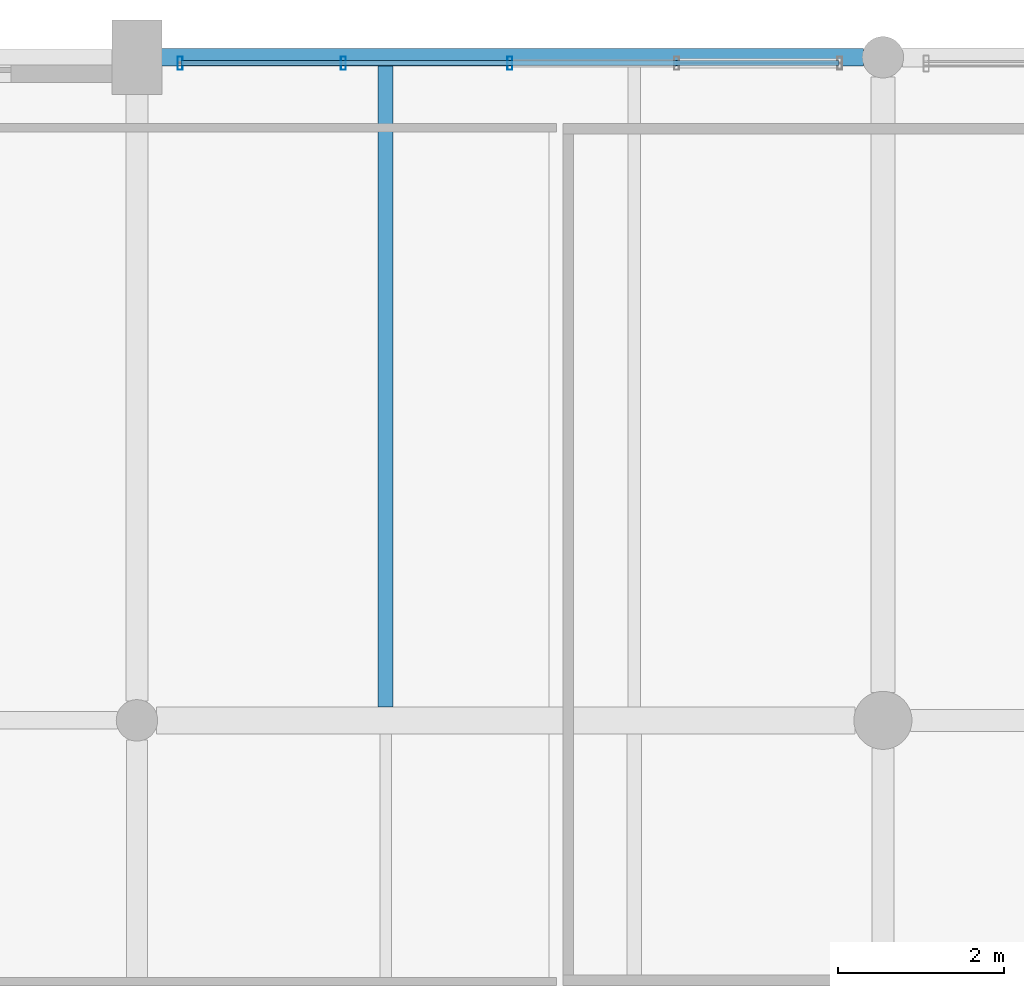
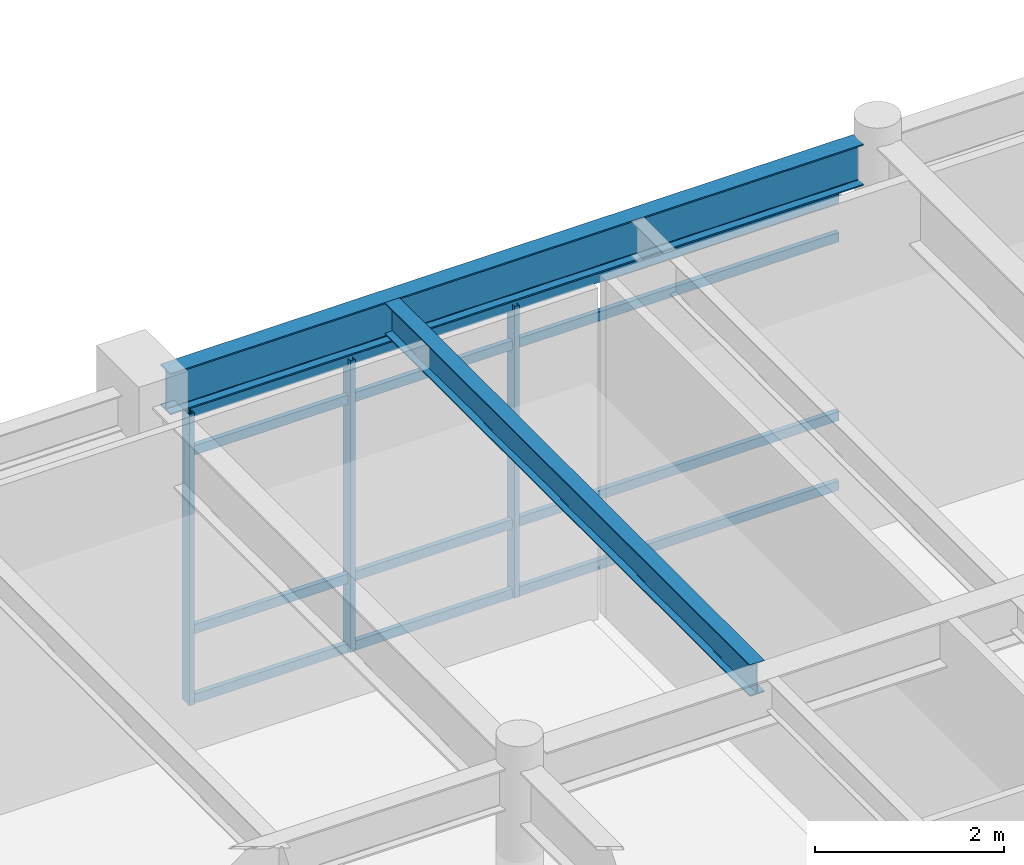
# One storey, part 89 of 168: 7 members, 2 beams, 1 element without a shape of its own.
"""IFC4 building model written with IfcOpenShell, lengths in metres."""

from ifc_helpers import new_model, si_unit, direction, frame, origin, origin_2d, place, context, subcontext, project, spatial, hollow_rectangle, i_section, extrude, material, material_profile, profile_set, type_object, element, aggregate, save


model = new_model("IFC4")

# Units and contexts
model_context = context("Model", 3, precision=1e-05, world=origin(), true_north=direction((0.0, 1.0)))
body_context = subcontext(model_context, "Body", "Model", "MODEL_VIEW")
ifc_project = project(units=[si_unit("LENGTHUNIT", "METRE"), si_unit("AREAUNIT", "SQUARE_METRE"), si_unit("VOLUMEUNIT", "CUBIC_METRE"), si_unit("PLANEANGLEUNIT", "RADIAN"), si_unit("MASSUNIT", "GRAM", prefix="KILO"), si_unit("THERMODYNAMICTEMPERATUREUNIT", "KELVIN"), si_unit("POWERUNIT", "WATT")], contexts=[model_context])

# Site, building, storey
site_placement = place(None, origin())
site = spatial("IfcSite", under=ifc_project, at=site_placement, CompositionType="ELEMENT")
building_placement = place(site_placement, origin())
building = spatial("IfcBuilding", under=site, at=building_placement, Name="Tepalcoro Natatorium and Aquatics Centre", CompositionType="ELEMENT")
storey_placement = place(building_placement, frame((0.0, 0.0, 10.199951171875)))
storey = spatial("IfcBuildingStorey", under=building, at=storey_placement, Name="L02", CompositionType="ELEMENT", Elevation=10.199951171875)

# Curtain wall, members
ifc_material_1 = material(Name="Bronze-Anodised Extruded Aluminium Alloy EN AW-6063 T6", Category="aluminium")
curtain_wall_type = type_object("IfcCurtainWallType", Name="CW_LEAN_T1_EW", PredefinedType="USERDEFINED", material=ifc_material_1)
curtain_wall_placement = place(storey_placement, origin())
curtain_wall = element("IfcCurtainWall", 1, at=curtain_wall_placement, inside=storey, type_object=curtain_wall_type, Name="V5 L02 N Unitised Curtain Wall Bay 2", ObjectType="FACETED SOLAR GLAZING", PredefinedType="USERDEFINED")
ifc_material_profile_1 = material_profile(ifc_material_1, hollow_rectangle(XDim=0.06005859375, YDim=0.159912109375, WallThickness=0.00390625, at=origin_2d()), Name="AL60X160X4")
ifc_profile_set_1 = profile_set([ifc_material_profile_1], Name="Bronze-Anodised Extruded Aluminium Alloy EN AW-6063 T6")
member_type_1 = type_object("IfcMemberType", Name="CW_MUL_60x160", PredefinedType="MULLION", material=ifc_profile_set_1)
member_1_placement = place(storey_placement, frame((107.52001953125, 117.9287109375, 0.02001953125), z_axis=(0.0, 0.0, 1.0), x_axis=(1.0, 0.0, 0.0)))
member_1 = element("IfcMember", 2, at=member_1_placement, type_object=member_type_1, Name="CW_LEAN_T1_EW Curtain Wall Mullion", PredefinedType="MULLION", context=body_context, shape_type="SweptSolid", body=[
    extrude(hollow_rectangle(XDim=0.06005859375, YDim=0.159912109375, WallThickness=0.00390625, at=origin_2d()), origin(), (0.0, 0.0, 1.0), 3.77392578125),
])
member_2_placement = place(storey_placement, frame((109.489990234375, 117.9287109375, 0.02001953125), z_axis=(0.0, 0.0, 1.0), x_axis=(1.0, 0.0, 0.0)))
member_2 = element("IfcMember", 3, at=member_2_placement, type_object=member_type_1, Name="CW_LEAN_T1_EW Curtain Wall Mullion", PredefinedType="MULLION", context=body_context, shape_type="SweptSolid", body=[
    extrude(hollow_rectangle(XDim=0.06005859375, YDim=0.159912109375, WallThickness=0.00390625, at=origin_2d()), origin(), (0.0, 0.0, 1.0), 3.77392578125),
])
member_3_placement = place(storey_placement, frame((111.5, 117.9287109375, 0.02001953125), z_axis=(0.0, 0.0, 1.0), x_axis=(1.0, 0.0, 0.0)))
member_3 = element("IfcMember", 4, at=member_3_placement, type_object=member_type_1, Name="CW_LEAN_T1_EW Curtain Wall Mullion", PredefinedType="MULLION", context=body_context, shape_type="SweptSolid", body=[
    extrude(hollow_rectangle(XDim=0.06005859375, YDim=0.159912109375, WallThickness=0.00390625, at=origin_2d()), origin(), (0.0, 0.0, 1.0), 3.77392578125),
])
ifc_material_profile_2 = material_profile(ifc_material_1, hollow_rectangle(XDim=0.06005859375, YDim=0.1201171875, WallThickness=0.00390625, at=origin_2d()), Name="AL60X120X4")
ifc_profile_set_2 = profile_set([ifc_material_profile_2], Name="Bronze-Anodised Extruded Aluminium Alloy EN AW-6063 T6")
member_type_2 = type_object("IfcMemberType", Name="CW_TRN_60x120", PredefinedType="USERDEFINED", material=ifc_profile_set_2)
member_4_placement = place(storey_placement, frame((107.530029296875, 117.9287109375, 0.050048828125), z_axis=(1.0, 0.0, 0.0), x_axis=(0.0, 1.0, 0.0)))
member_4 = element("IfcMember", 5, at=member_4_placement, type_object=member_type_2, Name="CW_LEAN_T1_EW Curtain Wall Transom", ObjectType="TRANSOM", PredefinedType="USERDEFINED", context=body_context, shape_type="SweptSolid", body=[
    extrude(hollow_rectangle(XDim=0.06005859375, YDim=0.1201171875, WallThickness=0.00390625, at=origin_2d()), origin(), (0.0, 0.0, 1.0), 7.93994140625),
])
member_5_placement = place(storey_placement, frame((107.530029296875, 117.9287109375, 0.949951171875), z_axis=(1.0, 0.0, 0.0), x_axis=(0.0, 1.0, 0.0)))
member_5 = element("IfcMember", 6, at=member_5_placement, type_object=member_type_2, Name="CW_LEAN_T1_EW Curtain Wall Transom", ObjectType="TRANSOM", PredefinedType="USERDEFINED", context=body_context, shape_type="SweptSolid", body=[
    extrude(hollow_rectangle(XDim=0.06005859375, YDim=0.1201171875, WallThickness=0.00390625, at=origin_2d()), origin(), (0.0, 0.0, 1.0), 7.93994140625),
])
member_6_placement = place(storey_placement, frame((107.530029296875, 117.9287109375, 3.26416015625), z_axis=(1.0, 0.0, 0.0), x_axis=(0.0, 1.0, 0.0)))
member_6 = element("IfcMember", 7, at=member_6_placement, type_object=member_type_2, Name="CW_LEAN_T1_EW Curtain Wall Transom", ObjectType="TRANSOM", PredefinedType="USERDEFINED", context=body_context, shape_type="SweptSolid", body=[
    extrude(hollow_rectangle(XDim=0.06005859375, YDim=0.1201171875, WallThickness=0.00390625, at=origin_2d()), origin(), (0.0, 0.0, 1.0), 7.93994140625),
])
member_7_placement = place(storey_placement, frame((107.530029296875, 117.9287109375, 3.76416015625), z_axis=(1.0, 0.0, 0.0), x_axis=(0.0, 1.0, 0.0)))
member_7 = element("IfcMember", 8, at=member_7_placement, type_object=member_type_2, Name="CW_LEAN_T1_EW Curtain Wall Transom", ObjectType="TRANSOM", PredefinedType="USERDEFINED", context=body_context, shape_type="SweptSolid", body=[
    extrude(hollow_rectangle(XDim=0.06005859375, YDim=0.1201171875, WallThickness=0.00390625, at=origin_2d()), origin(), (0.0, 0.0, 1.0), 7.93994140625),
])
aggregate(curtain_wall, [member_1, member_2, member_3, member_4, member_5, member_6, member_7])

# Beams
ifc_material_2 = material(Name="Steel ASTM A992 Grade 50 (Fy 345 MPa)", Category="steel")
ifc_material_profile_3 = material_profile(ifc_material_2, i_section(OverallWidth=0.178955078125, OverallDepth=0.409912109375, WebThickness=0.009033203125, FlangeThickness=0.013916015625, FilletRadius=0.013916015625, at=origin_2d()), Name="W16X45")
ifc_profile_set_3 = profile_set([ifc_material_profile_3], Name="Steel ASTM A992 Grade 50 (Fy 345 MPa)")
beam_type_1 = type_object("IfcBeamType", Name="JS_W16x45", PredefinedType="JOIST", material=ifc_profile_set_3)
beam_1_placement = place(storey_placement, frame((110.0, 110.16259765625, 4.16015625), z_axis=(0.0, 1.0, 0.0), x_axis=(-1.0, 0.0, 0.0)))
element("IfcBeam", 9, at=beam_1_placement, inside=storey, type_object=beam_type_1, Name="V5 L02 Floor Joist", PredefinedType="JOIST", context=body_context, shape_type="SweptSolid", body=[
    extrude(i_section(OverallWidth=0.178955078125, OverallDepth=0.409912109375, WebThickness=0.009033203125, FlangeThickness=0.013916015625, FilletRadius=0.013916015625, at=origin_2d()), origin(), (0.0, 0.0, 1.0), 7.732421875),
])
ifc_material_profile_4 = material_profile(ifc_material_2, i_section(OverallWidth=0.2099609375, OverallDepth=0.535888671875, WebThickness=0.010986328125, FlangeThickness=0.01708984375, FilletRadius=0.013916015625, at=origin_2d()), Name="W21X68")
ifc_profile_set_4 = profile_set([ifc_material_profile_4], Name="Steel ASTM A992 Grade 50 (Fy 345 MPa)")
beam_type_2 = type_object("IfcBeamType", Name="SP_W21x68", PredefinedType="SPANDREL", material=ifc_profile_set_4)
beam_2_placement = place(storey_placement, frame((107.284912109375, 118.0, 4.09716796875), z_axis=(1.0, 0.0, 0.0), x_axis=(0.0, 1.0, 0.0)))
element("IfcBeam", 10, at=beam_2_placement, inside=storey, type_object=beam_type_2, Name="V5 L02 Grid Girder X", PredefinedType="SPANDREL", context=body_context, shape_type="SweptSolid", body=[
    extrude(i_section(OverallWidth=0.2099609375, OverallDepth=0.535888671875, WebThickness=0.010986328125, FlangeThickness=0.01708984375, FilletRadius=0.013916015625, at=origin_2d()), origin(), (0.0, 0.0, 1.0), 8.47998046875),
])

save(model, "model.ifc")
